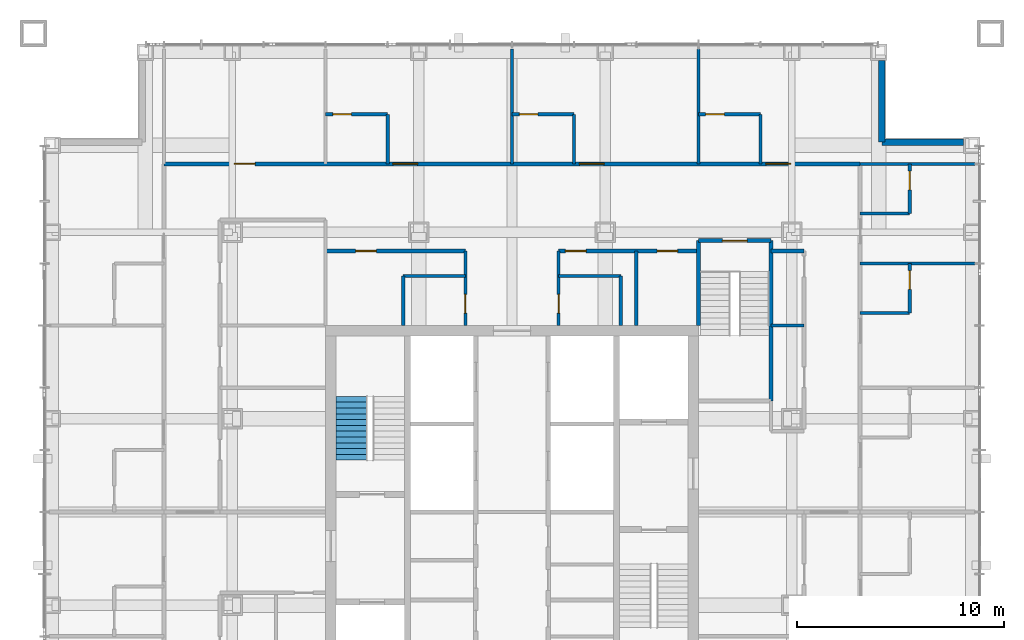
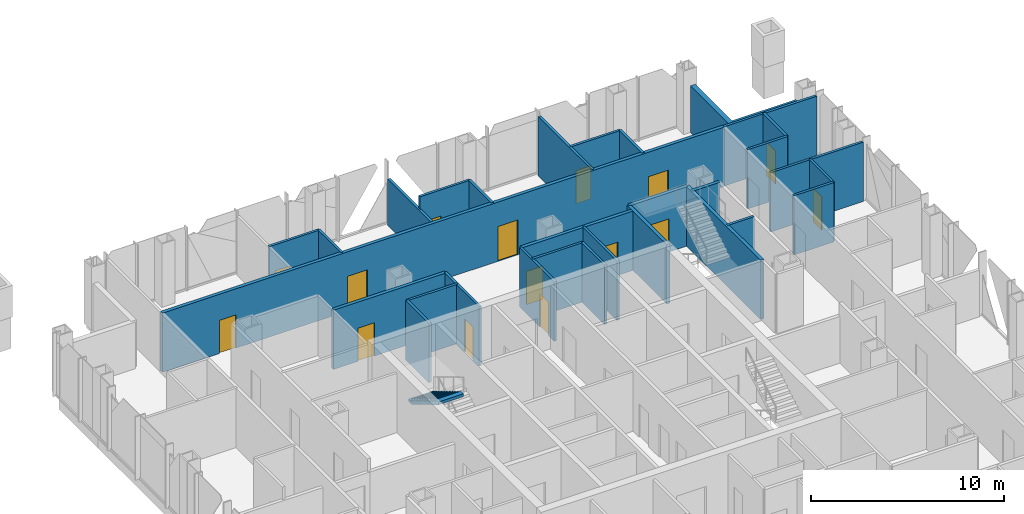
# One storey, part 11 of 25: 31 walls, 15 doors, 1 stair flight, 15 openings, 1 element without a shape of its own.
"""IFC4 building model written with IfcOpenShell, lengths in metres."""

from ifc_helpers import new_model, si_unit, direction, frame, frame_2d, origin, place, context, subcontext, project, spatial, polyline, rectangle, outline, extrude, material, layer, layer_set, type_object, element, fill, aggregate, save


model = new_model("IFC4")

# Units and contexts
model_context = context("Model", 3, precision=1e-05, world=origin(), true_north=direction((0.0, 1.0)))
body_context = subcontext(model_context, "Body", "Model", "MODEL_VIEW")
ifc_project = project(units=[si_unit("LENGTHUNIT", "METRE"), si_unit("AREAUNIT", "SQUARE_METRE"), si_unit("VOLUMEUNIT", "CUBIC_METRE"), si_unit("PLANEANGLEUNIT", "RADIAN"), si_unit("MASSUNIT", "GRAM", prefix="KILO")], contexts=[model_context])

# Site, building, storey
site_placement = place(None, origin())
site = spatial("IfcSite", under=ifc_project, at=site_placement, CompositionType="ELEMENT")
building_placement = place(site_placement, origin())
building = spatial("IfcBuilding", under=site, at=building_placement, Name="Malebo Sky Hospital", CompositionType="ELEMENT")
storey_placement = place(building_placement, frame((0.0, 0.0, 241.0)))
storey = spatial("IfcBuildingStorey", under=building, at=storey_placement, Name="L58", CompositionType="ELEMENT", Elevation=241.0)

# Wall, openings, doors
ifc_material_1 = material(Name="Gypsum board on steel studs", Category="steel")
ifc_layer_1 = layer(ifc_material_1, 0.199951171875)
ifc_layer_set_1 = layer_set([ifc_layer_1], Name="CORRIDOR WALL 200")
wall_type_1 = type_object("IfcWallType", Name="CORRIDOR WALL 200", PredefinedType="PARTITIONING", material=ifc_layer_set_1)
wall_1_placement = place(storey_placement, frame((43.199951171875, 78.800048828125, 0.0), z_axis=(0.0, 0.0, 1.0), x_axis=(1.0, 0.0, 0.0)))
wall_1 = element("IfcWall", 1, at=wall_1_placement, inside=storey, type_object=wall_type_1, Name="Corridor Wall 200 NCO", PredefinedType="PARTITIONING", context=body_context, shape_type="SweptSolid", body=[
    extrude(rectangle(XDim=33.60009765625, YDim=0.199951171875, at=frame_2d((16.800048828125, 0.0))), origin(), (0.0, 0.0, 1.0), 3.75),
])
opening_1_placement = place(wall_1_placement, frame((3.39990234375, 0.0, 0.0)))
opening_1 = element("IfcOpeningElement", 2, at=opening_1_placement, cuts=wall_1, Name="Opening D03", PredefinedType="OPENING", context=body_context, shape_type="SweptSolid", body=[
    extrude(rectangle(XDim=1.0, YDim=2.10009765625, at=frame_2d((0.5, 1.050048828125))), frame((0.0, 0.10986328125, 0.0), z_axis=(0.0, -1.0, 0.0), x_axis=(1.0, 0.0, 0.0)), (0.0, 0.0, 1.0), 0.219970703125),
])
opening_2_placement = place(wall_1_placement, frame((11.050048828125, 0.0, 0.0)))
opening_2 = element("IfcOpeningElement", 3, at=opening_2_placement, cuts=wall_1, Name="Opening D01", PredefinedType="OPENING", context=body_context, shape_type="SweptSolid", body=[
    extrude(rectangle(XDim=1.199951171875, YDim=2.199951171875, at=frame_2d((0.60009765625, 1.10009765625))), frame((0.0, 0.10986328125, 0.0), z_axis=(0.0, -1.0, 0.0), x_axis=(1.0, 0.0, 0.0)), (0.0, 0.0, 1.0), 0.219970703125),
])
opening_3_placement = place(wall_1_placement, frame((20.050048828125, 0.0, 0.0)))
opening_3 = element("IfcOpeningElement", 4, at=opening_3_placement, cuts=wall_1, Name="Opening D01", PredefinedType="OPENING", context=body_context, shape_type="SweptSolid", body=[
    extrude(rectangle(XDim=1.199951171875, YDim=2.199951171875, at=frame_2d((0.60009765625, 1.10009765625))), frame((0.0, 0.10986328125, 0.0), z_axis=(0.0, -1.0, 0.0), x_axis=(1.0, 0.0, 0.0)), (0.0, 0.0, 1.0), 0.219970703125),
])
opening_4_placement = place(wall_1_placement, frame((29.050048828125, 0.0, 0.0)))
opening_4 = element("IfcOpeningElement", 5, at=opening_4_placement, cuts=wall_1, Name="Opening D01", PredefinedType="OPENING", context=body_context, shape_type="SweptSolid", body=[
    extrude(rectangle(XDim=1.199951171875, YDim=2.199951171875, at=frame_2d((0.60009765625, 1.10009765625))), frame((0.0, 0.10986328125, 0.0), z_axis=(0.0, -1.0, 0.0), x_axis=(1.0, 0.0, 0.0)), (0.0, 0.0, 1.0), 0.219970703125),
])
ifc_material_2 = material(Name="Hardwood-faced door leaf in steel frame", Category="steel")
door_type_1 = type_object("IfcDoorType", Name="BED DOOR 1200", OperationType="SINGLE_SWING_LEFT", PredefinedType="DOOR", material=ifc_material_2)
door_1_placement = place(opening_2_placement, origin())
door_1 = element("IfcDoor", 6, at=door_1_placement, inside=storey, type_object=door_type_1, Name="Two-bed room door", OperationType="SINGLE_SWING_LEFT", OverallHeight=2.199951171875, OverallWidth=1.199951171875, PredefinedType="DOOR", context=body_context, shape_type="SweptSolid", body=[
    extrude(rectangle(XDim=1.199951171875, YDim=2.199951171875, at=frame_2d((0.60009765625, 1.10009765625))), frame((0.0, 0.02490234375, 0.0), z_axis=(0.0, -1.0, 0.0), x_axis=(1.0, 0.0, 0.0)), (0.0, 0.0, 1.0), 0.050048828125),
])
fill(opening_2, door_1)
door_2_placement = place(opening_3_placement, origin())
door_2 = element("IfcDoor", 7, at=door_2_placement, inside=storey, type_object=door_type_1, Name="Two-bed room door", OperationType="SINGLE_SWING_LEFT", OverallHeight=2.199951171875, OverallWidth=1.199951171875, PredefinedType="DOOR", context=body_context, shape_type="SweptSolid", body=[
    extrude(rectangle(XDim=1.199951171875, YDim=2.199951171875, at=frame_2d((0.60009765625, 1.10009765625))), frame((0.0, 0.02490234375, 0.0), z_axis=(0.0, -1.0, 0.0), x_axis=(1.0, 0.0, 0.0)), (0.0, 0.0, 1.0), 0.050048828125),
])
fill(opening_3, door_2)
door_3_placement = place(opening_4_placement, origin())
door_3 = element("IfcDoor", 8, at=door_3_placement, inside=storey, type_object=door_type_1, Name="Two-bed room door", OperationType="SINGLE_SWING_LEFT", OverallHeight=2.199951171875, OverallWidth=1.199951171875, PredefinedType="DOOR", context=body_context, shape_type="SweptSolid", body=[
    extrude(rectangle(XDim=1.199951171875, YDim=2.199951171875, at=frame_2d((0.60009765625, 1.10009765625))), frame((0.0, 0.02490234375, 0.0), z_axis=(0.0, -1.0, 0.0), x_axis=(1.0, 0.0, 0.0)), (0.0, 0.0, 1.0), 0.050048828125),
])
fill(opening_4, door_3)
door_type_2 = type_object("IfcDoorType", Name="ROOM DOOR 1000", OperationType="SINGLE_SWING_LEFT", PredefinedType="DOOR", material=ifc_material_2)
door_4_placement = place(opening_1_placement, origin())
door_4 = element("IfcDoor", 9, at=door_4_placement, inside=storey, type_object=door_type_2, Name="Infant feeding room door", OperationType="SINGLE_SWING_LEFT", OverallHeight=2.10009765625, OverallWidth=1.0, PredefinedType="DOOR", context=body_context, shape_type="SweptSolid", body=[
    extrude(rectangle(XDim=1.0, YDim=2.10009765625, at=frame_2d((0.5, 1.050048828125))), frame((0.0, 0.02490234375, 0.0), z_axis=(0.0, -1.0, 0.0), x_axis=(1.0, 0.0, 0.0)), (0.0, 0.0, 1.0), 0.050048828125),
])
fill(opening_1, door_4)

# Wall, opening, door
wall_2_placement = place(storey_placement, frame((51.0, 74.60009765625, 0.0), z_axis=(0.0, 0.0, 1.0), x_axis=(1.0, 0.0, 0.0)))
wall_2 = element("IfcWall", 10, at=wall_2_placement, inside=storey, type_object=wall_type_1, Name="Corridor Wall 200 NCI1", PredefinedType="PARTITIONING", context=body_context, shape_type="SweptSolid", body=[
    extrude(rectangle(XDim=6.75, YDim=0.199951171875, at=frame_2d((3.375, 0.0))), origin(), (0.0, 0.0, 1.0), 3.75),
])
opening_5_placement = place(wall_2_placement, frame((1.449951171875, 0.0, 0.0)))
opening_5 = element("IfcOpeningElement", 11, at=opening_5_placement, cuts=wall_2, Name="Opening D03", PredefinedType="OPENING", context=body_context, shape_type="SweptSolid", body=[
    extrude(rectangle(XDim=1.0, YDim=2.10009765625, at=frame_2d((0.5, 1.050048828125))), frame((0.0, 0.10986328125, 0.0), z_axis=(0.0, -1.0, 0.0), x_axis=(1.0, 0.0, 0.0)), (0.0, 0.0, 1.0), 0.219970703125),
])
door_5_placement = place(opening_5_placement, origin())
door_5 = element("IfcDoor", 12, at=door_5_placement, inside=storey, type_object=door_type_2, Name="Treatment room door", OperationType="SINGLE_SWING_LEFT", OverallHeight=2.10009765625, OverallWidth=1.0, PredefinedType="DOOR", context=body_context, shape_type="SweptSolid", body=[
    extrude(rectangle(XDim=1.0, YDim=2.10009765625, at=frame_2d((0.5, 1.050048828125))), frame((0.0, 0.02490234375, 0.0), z_axis=(0.0, -1.0, 0.0), x_axis=(1.0, 0.0, 0.0)), (0.0, 0.0, 1.0), 0.050048828125),
])
fill(opening_5, door_5)

# Wall, openings, doors
wall_3_placement = place(storey_placement, frame((62.25, 74.60009765625, 0.0), z_axis=(0.0, 0.0, 1.0), x_axis=(1.0, 0.0, 0.0)))
wall_3 = element("IfcWall", 13, at=wall_3_placement, inside=storey, type_object=wall_type_1, Name="Corridor Wall 200 NCI2", PredefinedType="PARTITIONING", context=body_context, shape_type="SweptSolid", body=[
    extrude(rectangle(XDim=6.75, YDim=0.199951171875, at=frame_2d((3.375, 0.0))), origin(), (0.0, 0.0, 1.0), 3.75),
])
opening_6_placement = place(wall_3_placement, frame((0.324951171875, 0.0, 0.0)))
opening_6 = element("IfcOpeningElement", 14, at=opening_6_placement, cuts=wall_3, Name="Opening D03", PredefinedType="OPENING", context=body_context, shape_type="SweptSolid", body=[
    extrude(rectangle(XDim=1.0, YDim=2.10009765625, at=frame_2d((0.5, 1.050048828125))), frame((0.0, 0.10986328125, 0.0), z_axis=(0.0, -1.0, 0.0), x_axis=(1.0, 0.0, 0.0)), (0.0, 0.0, 1.0), 0.219970703125),
])
opening_7_placement = place(wall_3_placement, frame((4.75, 0.0, 0.0)))
opening_7 = element("IfcOpeningElement", 15, at=opening_7_placement, cuts=wall_3, Name="Opening D03", PredefinedType="OPENING", context=body_context, shape_type="SweptSolid", body=[
    extrude(rectangle(XDim=1.0, YDim=2.10009765625, at=frame_2d((0.5, 1.050048828125))), frame((0.0, 0.10986328125, 0.0), z_axis=(0.0, -1.0, 0.0), x_axis=(1.0, 0.0, 0.0)), (0.0, 0.0, 1.0), 0.219970703125),
])
door_6_placement = place(opening_6_placement, origin())
door_6 = element("IfcDoor", 16, at=door_6_placement, inside=storey, type_object=door_type_2, Name="Medication room door", OperationType="SINGLE_SWING_LEFT", OverallHeight=2.10009765625, OverallWidth=1.0, PredefinedType="DOOR", context=body_context, shape_type="SweptSolid", body=[
    extrude(rectangle(XDim=1.0, YDim=2.10009765625, at=frame_2d((0.5, 1.050048828125))), frame((0.0, 0.02490234375, 0.0), z_axis=(0.0, -1.0, 0.0), x_axis=(1.0, 0.0, 0.0)), (0.0, 0.0, 1.0), 0.050048828125),
])
fill(opening_6, door_6)
door_7_placement = place(opening_7_placement, origin())
door_7 = element("IfcDoor", 17, at=door_7_placement, inside=storey, type_object=door_type_2, Name="Neonatal resuscitation room door", OperationType="SINGLE_SWING_RIGHT", OverallHeight=2.10009765625, OverallWidth=1.0, PredefinedType="DOOR", context=body_context, shape_type="SweptSolid", body=[
    extrude(rectangle(XDim=1.0, YDim=2.10009765625, at=frame_2d((0.5, 1.050048828125))), frame((0.0, 0.02490234375, 0.0), z_axis=(0.0, -1.0, 0.0), x_axis=(1.0, 0.0, 0.0)), (0.0, 0.0, 1.0), 0.050048828125),
])
fill(opening_7, door_7)

# Walls
wall_4_placement = place(storey_placement, frame((72.5, 74.60009765625, 0.0), z_axis=(0.0, 0.0, 1.0), x_axis=(1.0, 0.0, 0.0)))
element("IfcWall", 18, at=wall_4_placement, inside=storey, type_object=wall_type_1, Name="Corridor Wall 200 NCI2/2", PredefinedType="PARTITIONING", context=body_context, shape_type="SweptSolid", body=[
    extrude(rectangle(XDim=1.60009765625, YDim=0.199951171875, at=frame_2d((0.800048828125, 0.0))), origin(), (0.0, 0.0, 1.0), 3.75),
])
ifc_material_3 = material(Name="Anodised aluminium rainscreen on steel framing", Category="steel")
ifc_layer_2 = layer(ifc_material_3, 0.300048828125)
ifc_layer_set_2 = layer_set([ifc_layer_2], Name="NOTCH RAINSCREEN WALL 300")
wall_type_2 = type_object("IfcWallType", Name="NOTCH RAINSCREEN WALL 300", PredefinedType="ELEMENTEDWALL", material=ifc_layer_set_2)
for number, where, z_axis, x_axis, name in (
    (19, (77.85009765625, 83.800048828125, 0.0), (0.0, 0.0, 1.0), (0.0, -1.0, 0.0), "Notch rainscreen wall N1 L58"),
    (20, (77.85009765625, 79.85009765625, 0.0), (0.0, 0.0, 1.0), (1.0, 0.0, 0.0), "Notch rainscreen wall N2 L58"),
):
    element("IfcWall", number, at=place(storey_placement, frame(where, z_axis=z_axis, x_axis=x_axis)), inside=storey, type_object=wall_type_2, Name=name, PredefinedType="ELEMENTEDWALL", context=body_context, shape_type="SweptSolid", body=[
        extrude(rectangle(XDim=3.949951171875, YDim=0.300048828125, at=frame_2d((1.97509765625, 0.0))), origin(), (0.0, 0.0, 1.0), 2.949951171875),
    ])
ifc_layer_3 = layer(ifc_material_1, 0.14990234375)
ifc_layer_set_3 = layer_set([ifc_layer_3], Name="PARTITION 150")
wall_type_3 = type_object("IfcWallType", Name="PARTITION 150", PredefinedType="PARTITIONING", material=ifc_layer_set_3)
wall_5_placement = place(storey_placement, frame((60.0, 78.800048828125, 0.0), z_axis=(0.0, 0.0, 1.0), x_axis=(0.0, 1.0, 0.0)))
element("IfcWall", 21, at=wall_5_placement, inside=storey, type_object=wall_type_3, Name="Partition 150 NP+0.0", PredefinedType="PARTITIONING", context=body_context, shape_type="SweptSolid", body=[
    extrude(rectangle(XDim=5.550048828125, YDim=0.14990234375, at=frame_2d((2.77490234375, 0.0))), origin(), (0.0, 0.0, 1.0), 2.949951171875),
])
wall_6_placement = place(storey_placement, frame((69.0, 78.800048828125, 0.0), z_axis=(0.0, 0.0, 1.0), x_axis=(0.0, 1.0, 0.0)))
element("IfcWall", 22, at=wall_6_placement, inside=storey, type_object=wall_type_3, Name="Partition 150 NP+9.0", PredefinedType="PARTITIONING", context=body_context, shape_type="SweptSolid", body=[
    extrude(rectangle(XDim=5.550048828125, YDim=0.14990234375, at=frame_2d((2.77490234375, 0.0))), origin(), (0.0, 0.0, 1.0), 3.75),
])

# Wall, opening, door
wall_7_placement = place(storey_placement, frame((51.0, 81.199951171875, 0.0), z_axis=(0.0, 0.0, 1.0), x_axis=(1.0, 0.0, 0.0)))
wall_7 = element("IfcWall", 23, at=wall_7_placement, inside=storey, type_object=wall_type_3, Name="Partition 150 NE1F", PredefinedType="PARTITIONING", context=body_context, shape_type="SweptSolid", body=[
    extrude(rectangle(XDim=3.0, YDim=0.14990234375, at=frame_2d((1.5, 0.0))), origin(), (0.0, 0.0, 1.0), 3.75),
])
opening_8_placement = place(wall_7_placement, frame((0.35009765625, 0.0, 0.0)))
opening_8 = element("IfcOpeningElement", 24, at=opening_8_placement, cuts=wall_7, Name="Opening D02", PredefinedType="OPENING", context=body_context, shape_type="SweptSolid", body=[
    extrude(rectangle(XDim=0.89990234375, YDim=2.10009765625, at=frame_2d((0.449951171875, 1.050048828125))), frame((0.0, 0.0849609375, 0.0), z_axis=(0.0, -1.0, 0.0), x_axis=(1.0, 0.0, 0.0)), (0.0, 0.0, 1.0), 0.169921875),
])
door_type_3 = type_object("IfcDoorType", Name="EN-SUITE DOOR 900", OperationType="SINGLE_SWING_LEFT", PredefinedType="DOOR", material=ifc_material_2)
door_8_placement = place(opening_8_placement, origin())
door_8 = element("IfcDoor", 25, at=door_8_placement, inside=storey, type_object=door_type_3, Name="En-suite door", OperationType="SINGLE_SWING_LEFT", OverallHeight=2.10009765625, OverallWidth=0.89990234375, PredefinedType="DOOR", context=body_context, shape_type="SweptSolid", body=[
    extrude(rectangle(XDim=0.89990234375, YDim=2.10009765625, at=frame_2d((0.449951171875, 1.050048828125))), frame((0.0, 0.02490234375, 0.0), z_axis=(0.0, -1.0, 0.0), x_axis=(1.0, 0.0, 0.0)), (0.0, 0.0, 1.0), 0.050048828125),
])
fill(opening_8, door_8)

# Wall
wall_8_placement = place(storey_placement, frame((54.0, 78.800048828125, 0.0), z_axis=(0.0, 0.0, 1.0), x_axis=(0.0, 1.0, 0.0)))
element("IfcWall", 26, at=wall_8_placement, inside=storey, type_object=wall_type_3, Name="Partition 150 NE1S", PredefinedType="PARTITIONING", context=body_context, shape_type="SweptSolid", body=[
    extrude(rectangle(XDim=2.39990234375, YDim=0.14990234375, at=frame_2d((1.199951171875, 0.0))), origin(), (0.0, 0.0, 1.0), 3.75),
])

# Wall, opening, door
wall_9_placement = place(storey_placement, frame((60.0, 81.199951171875, 0.0), z_axis=(0.0, 0.0, 1.0), x_axis=(1.0, 0.0, 0.0)))
wall_9 = element("IfcWall", 27, at=wall_9_placement, inside=storey, type_object=wall_type_3, Name="Partition 150 NE2F", PredefinedType="PARTITIONING", context=body_context, shape_type="SweptSolid", body=[
    extrude(rectangle(XDim=3.0, YDim=0.14990234375, at=frame_2d((1.5, 0.0))), origin(), (0.0, 0.0, 1.0), 3.75),
])
opening_9_placement = place(wall_9_placement, frame((0.35009765625, 0.0, 0.0)))
opening_9 = element("IfcOpeningElement", 28, at=opening_9_placement, cuts=wall_9, Name="Opening D02", PredefinedType="OPENING", context=body_context, shape_type="SweptSolid", body=[
    extrude(rectangle(XDim=0.89990234375, YDim=2.10009765625, at=frame_2d((0.449951171875, 1.050048828125))), frame((0.0, 0.0849609375, 0.0), z_axis=(0.0, -1.0, 0.0), x_axis=(1.0, 0.0, 0.0)), (0.0, 0.0, 1.0), 0.169921875),
])
door_9_placement = place(opening_9_placement, origin())
door_9 = element("IfcDoor", 29, at=door_9_placement, inside=storey, type_object=door_type_3, Name="En-suite door", OperationType="SINGLE_SWING_LEFT", OverallHeight=2.10009765625, OverallWidth=0.89990234375, PredefinedType="DOOR", context=body_context, shape_type="SweptSolid", body=[
    extrude(rectangle(XDim=0.89990234375, YDim=2.10009765625, at=frame_2d((0.449951171875, 1.050048828125))), frame((0.0, 0.02490234375, 0.0), z_axis=(0.0, -1.0, 0.0), x_axis=(1.0, 0.0, 0.0)), (0.0, 0.0, 1.0), 0.050048828125),
])
fill(opening_9, door_9)

# Wall
wall_10_placement = place(storey_placement, frame((63.0, 78.800048828125, 0.0), z_axis=(0.0, 0.0, 1.0), x_axis=(0.0, 1.0, 0.0)))
element("IfcWall", 30, at=wall_10_placement, inside=storey, type_object=wall_type_3, Name="Partition 150 NE2S", PredefinedType="PARTITIONING", context=body_context, shape_type="SweptSolid", body=[
    extrude(rectangle(XDim=2.39990234375, YDim=0.14990234375, at=frame_2d((1.199951171875, 0.0))), origin(), (0.0, 0.0, 1.0), 3.75),
])

# Wall, opening, door
wall_11_placement = place(storey_placement, frame((69.0, 81.199951171875, 0.0), z_axis=(0.0, 0.0, 1.0), x_axis=(1.0, 0.0, 0.0)))
wall_11 = element("IfcWall", 31, at=wall_11_placement, inside=storey, type_object=wall_type_3, Name="Partition 150 NE3F", PredefinedType="PARTITIONING", context=body_context, shape_type="SweptSolid", body=[
    extrude(rectangle(XDim=3.0, YDim=0.14990234375, at=frame_2d((1.5, 0.0))), origin(), (0.0, 0.0, 1.0), 3.75),
])
opening_10_placement = place(wall_11_placement, frame((0.35009765625, 0.0, 0.0)))
opening_10 = element("IfcOpeningElement", 32, at=opening_10_placement, cuts=wall_11, Name="Opening D02", PredefinedType="OPENING", context=body_context, shape_type="SweptSolid", body=[
    extrude(rectangle(XDim=0.89990234375, YDim=2.10009765625, at=frame_2d((0.449951171875, 1.050048828125))), frame((0.0, 0.0849609375, 0.0), z_axis=(0.0, -1.0, 0.0), x_axis=(1.0, 0.0, 0.0)), (0.0, 0.0, 1.0), 0.169921875),
])
door_10_placement = place(opening_10_placement, origin())
door_10 = element("IfcDoor", 33, at=door_10_placement, inside=storey, type_object=door_type_3, Name="En-suite door", OperationType="SINGLE_SWING_LEFT", OverallHeight=2.10009765625, OverallWidth=0.89990234375, PredefinedType="DOOR", context=body_context, shape_type="SweptSolid", body=[
    extrude(rectangle(XDim=0.89990234375, YDim=2.10009765625, at=frame_2d((0.449951171875, 1.050048828125))), frame((0.0, 0.02490234375, 0.0), z_axis=(0.0, -1.0, 0.0), x_axis=(1.0, 0.0, 0.0)), (0.0, 0.0, 1.0), 0.050048828125),
])
fill(opening_10, door_10)

# Wall
wall_12_placement = place(storey_placement, frame((72.0, 78.800048828125, 0.0), z_axis=(0.0, 0.0, 1.0), x_axis=(0.0, 1.0, 0.0)))
element("IfcWall", 34, at=wall_12_placement, inside=storey, type_object=wall_type_3, Name="Partition 150 NE3S", PredefinedType="PARTITIONING", context=body_context, shape_type="SweptSolid", body=[
    extrude(rectangle(XDim=2.39990234375, YDim=0.14990234375, at=frame_2d((1.199951171875, 0.0))), origin(), (0.0, 0.0, 1.0), 3.75),
])

# Wall, opening, door
wall_13_placement = place(storey_placement, frame((57.75, 71.0, 0.0), z_axis=(0.0, 0.0, 1.0), x_axis=(0.0, 1.0, 0.0)))
wall_13 = element("IfcWall", 35, at=wall_13_placement, inside=storey, type_object=wall_type_3, Name="Partition 150 NSPA", PredefinedType="PARTITIONING", context=body_context, shape_type="SweptSolid", body=[
    extrude(rectangle(XDim=3.60009765625, YDim=0.14990234375, at=frame_2d((1.800048828125, 0.0))), origin(), (0.0, 0.0, 1.0), 3.75),
])
opening_11_placement = place(wall_13_placement, frame((0.60009765625, 0.0, 0.0)))
opening_11 = element("IfcOpeningElement", 36, at=opening_11_placement, cuts=wall_13, Name="Opening D04", PredefinedType="OPENING", context=body_context, shape_type="SweptSolid", body=[
    extrude(rectangle(XDim=0.89990234375, YDim=2.10009765625, at=frame_2d((0.449951171875, 1.050048828125))), frame((0.0, 0.0849609375, 0.0), z_axis=(0.0, -1.0, 0.0), x_axis=(1.0, 0.0, 0.0)), (0.0, 0.0, 1.0), 0.169921875),
])
door_type_4 = type_object("IfcDoorType", Name="ROOM DOOR 900", OperationType="SINGLE_SWING_LEFT", PredefinedType="DOOR", material=ifc_material_2)
door_11_placement = place(opening_11_placement, origin())
door_11 = element("IfcDoor", 37, at=door_11_placement, inside=storey, type_object=door_type_4, Name="Staff WC door", OperationType="SINGLE_SWING_LEFT", OverallHeight=2.10009765625, OverallWidth=0.89990234375, PredefinedType="DOOR", context=body_context, shape_type="SweptSolid", body=[
    extrude(rectangle(XDim=0.89990234375, YDim=2.10009765625, at=frame_2d((0.449951171875, 1.050048828125))), frame((0.0, 0.02490234375, 0.0), z_axis=(0.0, -1.0, 0.0), x_axis=(1.0, 0.0, 0.0)), (0.0, 0.0, 1.0), 0.050048828125),
])
fill(opening_11, door_11)

wall_14_placement = place(storey_placement, frame((62.25, 71.0, 0.0), z_axis=(0.0, 0.0, 1.0), x_axis=(0.0, 1.0, 0.0)))
wall_14 = element("IfcWall", 38, at=wall_14_placement, inside=storey, type_object=wall_type_3, Name="Partition 150 NSPB", PredefinedType="PARTITIONING", context=body_context, shape_type="SweptSolid", body=[
    extrude(rectangle(XDim=3.60009765625, YDim=0.14990234375, at=frame_2d((1.800048828125, 0.0))), origin(), (0.0, 0.0, 1.0), 3.75),
])
opening_12_placement = place(wall_14_placement, frame((0.60009765625, 0.0, 0.0)))
opening_12 = element("IfcOpeningElement", 39, at=opening_12_placement, cuts=wall_14, Name="Opening D04", PredefinedType="OPENING", context=body_context, shape_type="SweptSolid", body=[
    extrude(rectangle(XDim=0.89990234375, YDim=2.10009765625, at=frame_2d((0.449951171875, 1.050048828125))), frame((0.0, 0.0849609375, 0.0), z_axis=(0.0, -1.0, 0.0), x_axis=(1.0, 0.0, 0.0)), (0.0, 0.0, 1.0), 0.169921875),
])
door_12_placement = place(opening_12_placement, origin())
door_12 = element("IfcDoor", 40, at=door_12_placement, inside=storey, type_object=door_type_4, Name="Accessible WC door", OperationType="SINGLE_SWING_LEFT", OverallHeight=2.10009765625, OverallWidth=0.89990234375, PredefinedType="DOOR", context=body_context, shape_type="SweptSolid", body=[
    extrude(rectangle(XDim=0.89990234375, YDim=2.10009765625, at=frame_2d((0.449951171875, 1.050048828125))), frame((0.0, 0.02490234375, 0.0), z_axis=(0.0, -1.0, 0.0), x_axis=(1.0, 0.0, 0.0)), (0.0, 0.0, 1.0), 0.050048828125),
])
fill(opening_12, door_12)

# Walls
wall_15_placement = place(storey_placement, frame((66.0, 71.0, 0.0), z_axis=(0.0, 0.0, 1.0), x_axis=(0.0, 1.0, 0.0)))
element("IfcWall", 41, at=wall_15_placement, inside=storey, type_object=wall_type_3, Name="Partition 150 NSP+6.0", PredefinedType="PARTITIONING", context=body_context, shape_type="SweptSolid", body=[
    extrude(rectangle(XDim=3.60009765625, YDim=0.14990234375, at=frame_2d((1.800048828125, 0.0))), origin(), (0.0, 0.0, 1.0), 3.75),
])
wall_16_placement = place(storey_placement, frame((54.75, 73.39990234375, 0.0), z_axis=(0.0, 0.0, 1.0), x_axis=(1.0, 0.0, 0.0)))
element("IfcWall", 42, at=wall_16_placement, inside=storey, type_object=wall_type_3, Name="Partition 150 NSX0", PredefinedType="PARTITIONING", context=body_context, shape_type="SweptSolid", body=[
    extrude(rectangle(XDim=3.0, YDim=0.14990234375, at=frame_2d((1.5, 0.0))), origin(), (0.0, 0.0, 1.0), 3.75),
])
wall_17_placement = place(storey_placement, frame((54.75, 71.0, 0.0), z_axis=(0.0, 0.0, 1.0), x_axis=(0.0, 1.0, 0.0)))
element("IfcWall", 43, at=wall_17_placement, inside=storey, type_object=wall_type_3, Name="Partition 150 NSY0", PredefinedType="PARTITIONING", context=body_context, shape_type="SweptSolid", body=[
    extrude(rectangle(XDim=2.39990234375, YDim=0.14990234375, at=frame_2d((1.199951171875, 0.0))), origin(), (0.0, 0.0, 1.0), 3.75),
])
wall_18_placement = place(storey_placement, frame((62.25, 73.39990234375, 0.0), z_axis=(0.0, 0.0, 1.0), x_axis=(1.0, 0.0, 0.0)))
element("IfcWall", 44, at=wall_18_placement, inside=storey, type_object=wall_type_3, Name="Partition 150 NSX1", PredefinedType="PARTITIONING", context=body_context, shape_type="SweptSolid", body=[
    extrude(rectangle(XDim=3.0, YDim=0.14990234375, at=frame_2d((1.5, 0.0))), origin(), (0.0, 0.0, 1.0), 3.75),
])
wall_19_placement = place(storey_placement, frame((65.25, 71.0, 0.0), z_axis=(0.0, 0.0, 1.0), x_axis=(0.0, 1.0, 0.0)))
element("IfcWall", 45, at=wall_19_placement, inside=storey, type_object=wall_type_3, Name="Partition 150 NSY1", PredefinedType="PARTITIONING", context=body_context, shape_type="SweptSolid", body=[
    extrude(rectangle(XDim=2.39990234375, YDim=0.14990234375, at=frame_2d((1.199951171875, 0.0))), origin(), (0.0, 0.0, 1.0), 3.75),
])
for number, where, z_axis, x_axis, name in (
    (46, (76.800048828125, 74.0, 0.0), (0.0, 0.0, 1.0), (1.0, 0.0, 0.0), "Partition 150 EP-12.0"),
    (47, (76.800048828125, 78.800048828125, 0.0), (0.0, 0.0, 1.0), (1.0, 0.0, 0.0), "Partition 150 EP0"),
):
    element("IfcWall", number, at=place(storey_placement, frame(where, z_axis=z_axis, x_axis=x_axis)), inside=storey, type_object=wall_type_3, Name=name, PredefinedType="PARTITIONING", context=body_context, shape_type="SweptSolid", body=[
        extrude(rectangle(XDim=5.550048828125, YDim=0.14990234375, at=frame_2d((2.77490234375, 0.0))), origin(), (0.0, 0.0, 1.0), 3.75),
    ])

# Wall, opening, door
wall_20_placement = place(storey_placement, frame((79.199951171875, 78.800048828125, 0.0), z_axis=(0.0, 0.0, 1.0), x_axis=(0.0, -1.0, 0.0)))
wall_20 = element("IfcWall", 48, at=wall_20_placement, inside=storey, type_object=wall_type_3, Name="Partition 150 EE0F", PredefinedType="PARTITIONING", context=body_context, shape_type="SweptSolid", body=[
    extrude(rectangle(XDim=2.400146484375, YDim=0.14990234375, at=frame_2d((1.2001953125, 0.0))), origin(), (0.0, 0.0, 1.0), 3.75),
])
opening_13_placement = place(wall_20_placement, frame((0.35009765625, 0.0, 0.0)))
opening_13 = element("IfcOpeningElement", 49, at=opening_13_placement, cuts=wall_20, Name="Opening D02", PredefinedType="OPENING", context=body_context, shape_type="SweptSolid", body=[
    extrude(rectangle(XDim=0.89990234375, YDim=2.10009765625, at=frame_2d((0.449951171875, 1.050048828125))), frame((0.0, 0.0849609375, 0.0), z_axis=(0.0, -1.0, 0.0), x_axis=(1.0, 0.0, 0.0)), (0.0, 0.0, 1.0), 0.169921875),
])
door_13_placement = place(opening_13_placement, origin())
door_13 = element("IfcDoor", 50, at=door_13_placement, inside=storey, type_object=door_type_3, Name="En-suite door", OperationType="SINGLE_SWING_LEFT", OverallHeight=2.10009765625, OverallWidth=0.89990234375, PredefinedType="DOOR", context=body_context, shape_type="SweptSolid", body=[
    extrude(rectangle(XDim=0.89990234375, YDim=2.10009765625, at=frame_2d((0.449951171875, 1.050048828125))), frame((0.0, 0.02490234375, 0.0), z_axis=(0.0, -1.0, 0.0), x_axis=(1.0, 0.0, 0.0)), (0.0, 0.0, 1.0), 0.050048828125),
])
fill(opening_13, door_13)

# Wall
wall_21_placement = place(storey_placement, frame((76.800048828125, 76.39990234375, 0.0), z_axis=(0.0, 0.0, 1.0), x_axis=(1.0, 0.0, 0.0)))
element("IfcWall", 51, at=wall_21_placement, inside=storey, type_object=wall_type_3, Name="Partition 150 EE0S", PredefinedType="PARTITIONING", context=body_context, shape_type="SweptSolid", body=[
    extrude(rectangle(XDim=2.39990234375, YDim=0.14990234375, at=frame_2d((1.199951171875, 0.0))), origin(), (0.0, 0.0, 1.0), 3.75),
])

# Wall, opening, door
wall_22_placement = place(storey_placement, frame((79.199951171875, 74.0, 0.0), z_axis=(0.0, 0.0, 1.0), x_axis=(0.0, -1.0, 0.0)))
wall_22 = element("IfcWall", 52, at=wall_22_placement, inside=storey, type_object=wall_type_3, Name="Partition 150 EE1F", PredefinedType="PARTITIONING", context=body_context, shape_type="SweptSolid", body=[
    extrude(rectangle(XDim=2.39990234375, YDim=0.14990234375, at=frame_2d((1.199951171875, 0.0))), origin(), (0.0, 0.0, 1.0), 3.75),
])
opening_14_placement = place(wall_22_placement, frame((0.35009765625, 0.0, 0.0)))
opening_14 = element("IfcOpeningElement", 53, at=opening_14_placement, cuts=wall_22, Name="Opening D02", PredefinedType="OPENING", context=body_context, shape_type="SweptSolid", body=[
    extrude(rectangle(XDim=0.89990234375, YDim=2.10009765625, at=frame_2d((0.449951171875, 1.050048828125))), frame((0.0, 0.0849609375, 0.0), z_axis=(0.0, -1.0, 0.0), x_axis=(1.0, 0.0, 0.0)), (0.0, 0.0, 1.0), 0.169921875),
])
door_14_placement = place(opening_14_placement, origin())
door_14 = element("IfcDoor", 54, at=door_14_placement, inside=storey, type_object=door_type_3, Name="En-suite door", OperationType="SINGLE_SWING_LEFT", OverallHeight=2.10009765625, OverallWidth=0.89990234375, PredefinedType="DOOR", context=body_context, shape_type="SweptSolid", body=[
    extrude(rectangle(XDim=0.89990234375, YDim=2.10009765625, at=frame_2d((0.449951171875, 1.050048828125))), frame((0.0, 0.02490234375, 0.0), z_axis=(0.0, -1.0, 0.0), x_axis=(1.0, 0.0, 0.0)), (0.0, 0.0, 1.0), 0.050048828125),
])
fill(opening_14, door_14)

# Walls
wall_23_placement = place(storey_placement, frame((76.800048828125, 71.60009765625, 0.0), z_axis=(0.0, 0.0, 1.0), x_axis=(1.0, 0.0, 0.0)))
element("IfcWall", 55, at=wall_23_placement, inside=storey, type_object=wall_type_3, Name="Partition 150 EE1S", PredefinedType="PARTITIONING", context=body_context, shape_type="SweptSolid", body=[
    extrude(rectangle(XDim=2.39990234375, YDim=0.14990234375, at=frame_2d((1.199951171875, 0.0))), origin(), (0.0, 0.0, 1.0), 3.75),
])
wall_24_placement = place(storey_placement, frame((72.5, 71.0, 0.0), z_axis=(0.0, 0.0, 1.0), x_axis=(1.0, 0.0, 0.0)))
element("IfcWall", 56, at=wall_24_placement, inside=storey, type_object=wall_type_3, Name="Partition 150 ESP0", PredefinedType="PARTITIONING", context=body_context, shape_type="SweptSolid", body=[
    extrude(rectangle(XDim=1.60009765625, YDim=0.14990234375, at=frame_2d((0.800048828125, 0.0))), origin(), (0.0, 0.0, 1.0), 3.75),
])
ifc_material_4 = material(Name="Concrete C40/50", Category="concrete")
ifc_layer_4 = layer(ifc_material_4, 0.199951171875)
ifc_layer_set_4 = layer_set([ifc_layer_4], Name="STAIR ENCLOSURE WALL 200")
wall_type_4 = type_object("IfcWallType", Name="STAIR ENCLOSURE WALL 200", PredefinedType="SOLIDWALL", material=ifc_layer_set_4)
wall_25_placement = place(storey_placement, frame((69.0, 71.0, 0.0), z_axis=(0.0, 0.0, 1.0), x_axis=(0.0, 1.0, 0.0)))
element("IfcWall", 57, at=wall_25_placement, inside=storey, type_object=wall_type_4, Name="Stair Enclosure Wall 200 ST3W", PredefinedType="SOLIDWALL", context=body_context, shape_type="SweptSolid", body=[
    extrude(rectangle(XDim=4.10009765625, YDim=0.199951171875, at=frame_2d((2.050048828125, 0.0))), origin(), (0.0, 0.0, 1.0), 3.75),
])
wall_26_placement = place(storey_placement, frame((72.5, 67.35009765625, 0.0), z_axis=(0.0, 0.0, 1.0), x_axis=(0.0, 1.0, 0.0)))
element("IfcWall", 58, at=wall_26_placement, inside=storey, type_object=wall_type_4, Name="Stair Enclosure Wall 200 ST3E", PredefinedType="SOLIDWALL", context=body_context, shape_type="SweptSolid", body=[
    extrude(rectangle(XDim=7.75, YDim=0.199951171875, at=frame_2d((3.875, 0.0))), origin(), (0.0, 0.0, 1.0), 3.75),
])

# Wall, opening, door
wall_27_placement = place(storey_placement, frame((69.0, 75.10009765625, 0.0), z_axis=(0.0, 0.0, 1.0), x_axis=(1.0, 0.0, 0.0)))
wall_27 = element("IfcWall", 59, at=wall_27_placement, inside=storey, type_object=wall_type_4, Name="Stair Enclosure Wall 200 ST3N", PredefinedType="SOLIDWALL", context=body_context, shape_type="SweptSolid", body=[
    extrude(rectangle(XDim=3.5, YDim=0.199951171875, at=frame_2d((1.75, 0.0))), origin(), (0.0, 0.0, 1.0), 3.75),
])
opening_15_placement = place(wall_27_placement, frame((1.14990234375, 0.0, 0.0)))
opening_15 = element("IfcOpeningElement", 60, at=opening_15_placement, cuts=wall_27, Name="Opening D08", PredefinedType="OPENING", context=body_context, shape_type="SweptSolid", body=[
    extrude(rectangle(XDim=1.199951171875, YDim=2.10009765625, at=frame_2d((0.60009765625, 1.050048828125))), frame((0.0, 0.10986328125, 0.0), z_axis=(0.0, -1.0, 0.0), x_axis=(1.0, 0.0, 0.0)), (0.0, 0.0, 1.0), 0.219970703125),
])
door_type_5 = type_object("IfcDoorType", Name="STAIR DOOR 1200", OperationType="SINGLE_SWING_LEFT", PredefinedType="DOOR", material=ifc_material_2)
door_15_placement = place(opening_15_placement, origin())
door_15 = element("IfcDoor", 61, at=door_15_placement, inside=storey, type_object=door_type_5, Name="Stair S3 door", OperationType="SINGLE_SWING_LEFT", OverallHeight=2.10009765625, OverallWidth=1.199951171875, PredefinedType="DOOR", context=body_context, shape_type="SweptSolid", body=[
    extrude(rectangle(XDim=1.199951171875, YDim=2.10009765625, at=frame_2d((0.60009765625, 1.050048828125))), frame((0.0, 0.02490234375, 0.0), z_axis=(0.0, -1.0, 0.0), x_axis=(1.0, 0.0, 0.0)), (0.0, 0.0, 1.0), 0.050048828125),
])
fill(opening_15, door_15)

# Stair, stair flight
stair_type = type_object("IfcStairType", Name="HALF-TURN STAIR 1500 R167", PredefinedType="HALF_TURN_STAIR", material=ifc_material_4)
stair_placement = place(storey_placement, origin())
stair = element("IfcStair", 62, at=stair_placement, inside=storey, type_object=stair_type, Name="Stair S1 L58 type ST1", PredefinedType="HALF_TURN_STAIR")
stair_flight_type = type_object("IfcStairFlightType", Name="STAIR FLIGHT 1500 R167", PredefinedType="STRAIGHT", material=ifc_material_4)
stair_flight_placement = place(storey_placement, frame((52.25, 67.580078125, 2.0), z_axis=(0.0, 0.0, 1.0), x_axis=(0.0, -1.0, 0.0)))
stair_flight = element("IfcStairFlight", 63, at=stair_flight_placement, type_object=stair_flight_type, Name="S1 flight 2 type SF1", NumberOfRisers=12, NumberOfTreads=11, PredefinedType="STRAIGHT", RiserHeight=0.166666667, TreadLength=0.28, context=body_context, shape_type="SweptSolid", body=[
    extrude(outline(polyline([(0.0, 0.0), (0.0, 0.166748046875), (0.280029296875, 0.166748046875), (0.280029296875, 0.333251953125), (0.56005859375, 0.333251953125), (0.56005859375, 0.5), (0.840087890625, 0.5), (0.840087890625, 0.666748046875), (1.1201171875, 0.666748046875), (1.1201171875, 0.833251953125), (1.39990234375, 0.833251953125), (1.39990234375, 1.0), (1.679931640625, 1.0), (1.679931640625, 1.166748046875), (1.9599609375, 1.166748046875), (1.9599609375, 1.333251953125), (2.239990234375, 1.333251953125), (2.239990234375, 1.5), (2.52001953125, 1.5), (2.52001953125, 1.666748046875), (2.800048828125, 1.666748046875), (2.800048828125, 1.833251953125), (3.080078125, 1.833251953125), (3.080078125, 2.0), (3.080078125, 1.658935546875), (0.29296875, 0.0), (0.0, 0.0)])), frame((0.0, 0.75, 0.0), z_axis=(0.0, -1.0, 0.0), x_axis=(1.0, 0.0, 0.0)), (0.0, 0.0, 1.0), 1.5),
])
aggregate(stair, [stair_flight])

save(model, "model.ifc")
